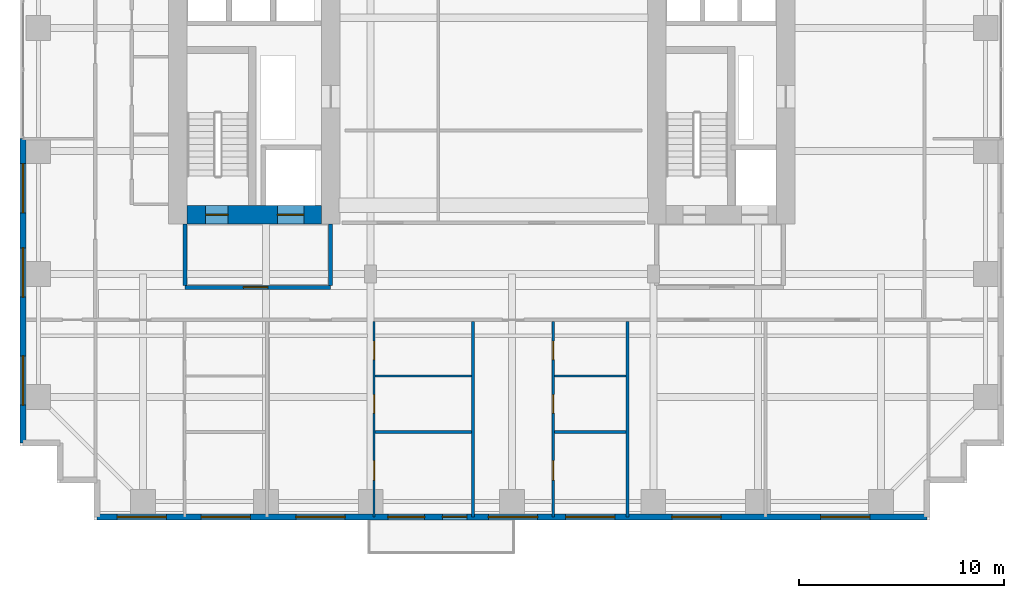
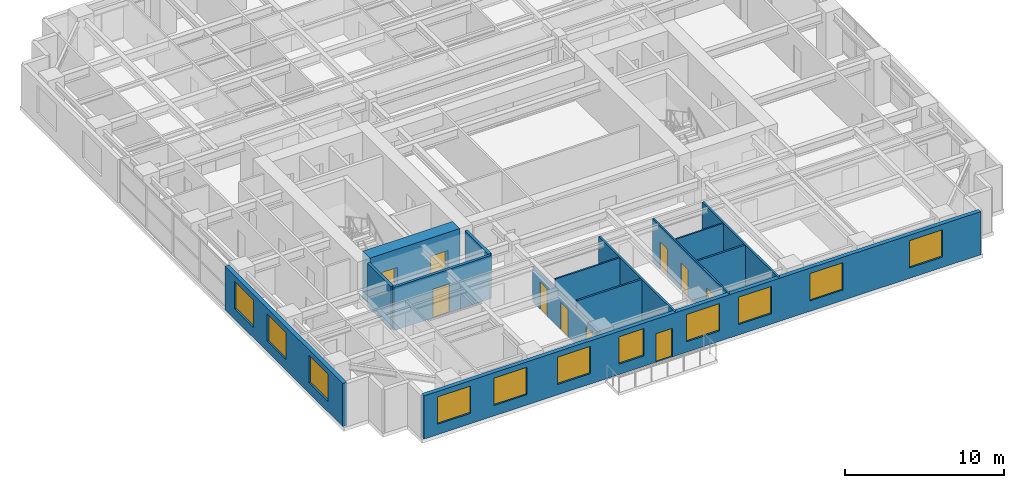
# One storey, part 11 of 19: 14 walls, 11 windows, 10 doors, 21 openings.
"""IFC4 building model written with IfcOpenShell, lengths in metres."""

from ifc_helpers import new_model, si_unit, direction, frame, frame_2d, origin, place, context, subcontext, project, spatial, rectangle, extrude, source, transform, mapped, material, layer, layer_set, type_object, element, fill, save


model = new_model("IFC4")

# Units and contexts
model_context = context("Model", 3, precision=1e-05, world=origin(), true_north=direction((0.0, 1.0)))
body_context = subcontext(model_context, "Body", "Model", "MODEL_VIEW")
ifc_project = project(units=[si_unit("LENGTHUNIT", "METRE"), si_unit("AREAUNIT", "SQUARE_METRE"), si_unit("VOLUMEUNIT", "CUBIC_METRE"), si_unit("PLANEANGLEUNIT", "RADIAN"), si_unit("MASSUNIT", "GRAM", prefix="KILO")], contexts=[model_context])

# Site, building, storey
site_placement = place(None, origin())
site = spatial("IfcSite", under=ifc_project, at=site_placement, CompositionType="ELEMENT")
building_placement = place(site_placement, origin())
building = spatial("IfcBuilding", under=site, at=building_placement, Name="Khoralis Quay Care Tower", CompositionType="ELEMENT")
storey_placement = place(building_placement, frame((0.0, 0.0, 69.300048828125)))
storey = spatial("IfcBuildingStorey", under=building, at=storey_placement, Name="L18", CompositionType="ELEMENT", Elevation=69.300048828125)

# Wall, opening, door
ifc_material_1 = material(Name="Gypsum plasterboard on acoustic metal stud")
ifc_layer_1 = layer(ifc_material_1, 0.199951171875)
ifc_layer_set_1 = layer_set([ifc_layer_1], Name="Gypsum plasterboard on acoustic metal stud")
wall_type_1 = type_object("IfcWallType", Name="WL-COMP-200", PredefinedType="PARTITIONING", material=ifc_layer_set_1)
wall_1_placement = place(storey_placement, frame((8.050048828125, 11.35009765625, 0.0), z_axis=(0.0, 0.0, 1.0), x_axis=(1.0, 0.0, 0.0)))
wall_1 = element("IfcWall", 1, at=wall_1_placement, inside=storey, type_object=wall_type_1, Name="L18 West Firefighting Lobby South Wall", PredefinedType="PARTITIONING", context=body_context, shape_type="SweptSolid", body=[
    extrude(rectangle(XDim=7.099853515625, YDim=0.199951171875, at=frame_2d((3.5498046875, 0.0))), origin(), (0.0, 0.0, 1.0), 3.320068359375),
])
opening_1_placement = place(wall_1_placement, frame((2.846435546875, 0.0, 0.0)))
opening_1 = element("IfcOpeningElement", 2, at=opening_1_placement, cuts=wall_1, Name="Opening FD1", PredefinedType="OPENING", context=body_context, shape_type="SweptSolid", body=[
    extrude(rectangle(XDim=1.199951171875, YDim=2.199951171875, at=frame_2d((0.60009765625, 1.10009765625))), frame((0.0, 0.10986328125, 0.0), z_axis=(0.0, -1.0, 0.0), x_axis=(1.0, 0.0, 0.0)), (0.0, 0.0, 1.0), 0.219970703125),
])
ifc_material_2 = material(Name="Fire-rated painted steel", Category="steel")
door_type_1 = type_object("IfcDoorType", Name="DR-FFL-1200X2200", OperationType="NOTDEFINED", PredefinedType="DOOR", material=ifc_material_2)
shared_shape_1 = source(origin(), body_context, "Body", "SweptSolid", [
    extrude(rectangle(XDim=1.199951171875, YDim=2.199951171875, at=frame_2d((0.60009765625, 1.10009765625))), frame((0.0, 0.02490234375, 0.0), z_axis=(0.0, -1.0, 0.0), x_axis=(1.0, 0.0, 0.0)), (0.0, 0.0, 1.0), 0.050048828125),
])
door_1_placement = place(opening_1_placement, origin())
door_1 = element("IfcDoor", 3, at=door_1_placement, inside=storey, type_object=door_type_1, Name="L18 West Firefighting Lobby Fire Door", OperationType="SINGLE_SWING_RIGHT", OverallHeight=2.199951171875, OverallWidth=1.199951171875, PredefinedType="DOOR", context=body_context, shape_type="MappedRepresentation", body=[
    mapped(shared_shape_1, transform((0.0, 0.0, 0.0), scale=1.0)),
])
fill(opening_1, door_1)

# Walls
for number, where, z_axis, x_axis, name in (
    (4, (8.050048828125, 11.445068359375, 0.0), (0.0, 0.0, 1.0), (0.0, 1.0, 0.0), "L18 West Firefighting Lobby West Wall"),
    (5, (15.14990234375, 11.445068359375, 0.0), (0.0, 0.0, 1.0), (0.0, 1.0, 0.0), "L18 West Firefighting Lobby East Wall"),
):
    element("IfcWall", number, at=place(storey_placement, frame(where, z_axis=z_axis, x_axis=x_axis)), inside=storey, type_object=wall_type_1, Name=name, PredefinedType="PARTITIONING", context=body_context, shape_type="SweptSolid", body=[
        extrude(rectangle(XDim=2.98486328125, YDim=0.199951171875, at=frame_2d((1.492431640625, 0.0))), origin(), (0.0, 0.0, 1.0), 3.320068359375),
    ])

# Wall, openings, doors
ifc_material_3 = material(Name="Concrete C80/95", Category="concrete")
ifc_layer_2 = layer(ifc_material_3, 0.89990234375)
ifc_layer_set_2 = layer_set([ifc_layer_2], Name="Concrete C80/95")
wall_type_2 = type_object("IfcWallType", Name="WL-CORE-900", PredefinedType="SHEAR", material=ifc_layer_set_2)
wall_2_placement = place(storey_placement, frame((8.14990234375, 14.89990234375, 0.0), z_axis=(0.0, 0.0, 1.0), x_axis=(1.0, 0.0, 0.0)))
wall_2 = element("IfcWall", 6, at=wall_2_placement, inside=storey, type_object=wall_type_2, Name="L18 WCORE South Shear Wall", PredefinedType="SHEAR", context=body_context, shape_type="SweptSolid", body=[
    extrude(rectangle(XDim=6.550048828125, YDim=0.89990234375, at=frame_2d((3.27490234375, 0.0))), origin(), (0.0, 0.0, 1.0), 3.599853515625),
])
opening_2_placement = place(wall_2_placement, frame((0.89990234375, 0.0, 0.0)))
opening_2 = element("IfcOpeningElement", 7, at=opening_2_placement, cuts=wall_2, Name="Opening SD1", PredefinedType="OPENING", context=body_context, shape_type="SweptSolid", body=[
    extrude(rectangle(XDim=1.10009765625, YDim=2.199951171875, at=frame_2d((0.550048828125, 1.10009765625))), frame((0.0, 0.4599609375, 0.0), z_axis=(0.0, -1.0, 0.0), x_axis=(1.0, 0.0, 0.0)), (0.0, 0.0, 1.0), 0.919921875),
])
opening_3_placement = place(wall_2_placement, frame((4.39990234375, 0.0, 0.0)))
opening_3 = element("IfcOpeningElement", 8, at=opening_3_placement, cuts=wall_2, Name="Opening LD2", PredefinedType="OPENING", context=body_context, shape_type="SweptSolid", body=[
    extrude(rectangle(XDim=1.300048828125, YDim=2.199951171875, at=frame_2d((0.64990234375, 1.10009765625))), frame((0.0, 0.4599609375, 0.0), z_axis=(0.0, -1.0, 0.0), x_axis=(1.0, 0.0, 0.0)), (0.0, 0.0, 1.0), 0.919921875),
])
door_type_2 = type_object("IfcDoorType", Name="DR-STAIR-1100X2200", OperationType="NOTDEFINED", PredefinedType="DOOR", material=ifc_material_2)
shared_shape_2 = source(origin(), body_context, "Body", "SweptSolid", [
    extrude(rectangle(XDim=1.10009765625, YDim=2.199951171875, at=frame_2d((0.550048828125, 1.10009765625))), frame((0.0, 0.02490234375, 0.0), z_axis=(0.0, -1.0, 0.0), x_axis=(1.0, 0.0, 0.0)), (0.0, 0.0, 1.0), 0.050048828125),
])
door_2_placement = place(opening_2_placement, origin())
door_2 = element("IfcDoor", 9, at=door_2_placement, inside=storey, type_object=door_type_2, Name="L18 Stair ST-T1 Fire Door", OperationType="SINGLE_SWING_RIGHT", OverallHeight=2.199951171875, OverallWidth=1.10009765625, PredefinedType="DOOR", context=body_context, shape_type="MappedRepresentation", body=[
    mapped(shared_shape_2, transform((0.0, 0.0, 0.0), scale=1.0)),
])
fill(opening_2, door_2)
ifc_material_4 = material(Name="Brushed stainless steel", Category="steel")
door_type_3 = type_object("IfcDoorType", Name="DR-LIFT-1300X2200", OperationType="SLIDING_TO_RIGHT", PredefinedType="DOOR", material=ifc_material_4)
shared_shape_3 = source(origin(), body_context, "Body", "SweptSolid", [
    extrude(rectangle(XDim=1.300048828125, YDim=2.199951171875, at=frame_2d((0.64990234375, 1.10009765625))), frame((0.0, 0.02490234375, 0.0), z_axis=(0.0, -1.0, 0.0), x_axis=(1.0, 0.0, 0.0)), (0.0, 0.0, 1.0), 0.050048828125),
])
door_3_placement = place(opening_3_placement, origin())
door_3 = element("IfcDoor", 10, at=door_3_placement, inside=storey, type_object=door_type_3, Name="L18 Firefighting Lift FFL-1 Landing Door", OperationType="SLIDING_TO_RIGHT", OverallHeight=2.199951171875, OverallWidth=1.300048828125, PredefinedType="DOOR", context=body_context, shape_type="MappedRepresentation", body=[
    mapped(shared_shape_3, transform((0.0, 0.0, 0.0), scale=1.0)),
])
fill(opening_3, door_3)

# Wall, openings, windows, door
ifc_material_5 = material(Name="Precast concrete C45/55", Category="concrete")
ifc_layer_3 = layer(ifc_material_5, 0.300048828125)
ifc_layer_set_3 = layer_set([ifc_layer_3], Name="Precast concrete C45/55")
wall_type_3 = type_object("IfcWallType", Name="WL-EXT-REF-300", PredefinedType="SOLIDWALL", material=ifc_layer_set_3)
wall_3_placement = place(storey_placement, frame((3.75, 0.14990234375, 0.0), z_axis=(0.0, 0.0, 1.0), x_axis=(1.0, 0.0, 0.0)))
wall_3 = element("IfcWall", 11, at=wall_3_placement, inside=storey, type_object=wall_type_3, Name="L18 External Facade Wall WL-EXT-L18-P1-E0", PredefinedType="SOLIDWALL", context=body_context, shape_type="SweptSolid", body=[
    extrude(rectangle(XDim=40.5, YDim=0.300048828125, at=frame_2d((20.25, 0.0))), origin(), (0.0, 0.0, 1.0), 3.320068359375),
])
opening_4_placement = place(wall_3_placement, frame((0.990966796875, 0.0, 0.800048828125)))
opening_4 = element("IfcOpeningElement", 12, at=opening_4_placement, cuts=wall_3, Name="Opening W1", PredefinedType="OPENING", context=body_context, shape_type="SweptSolid", body=[
    extrude(rectangle(XDim=2.39990234375, YDim=2.10009765625, at=frame_2d((1.199951171875, 1.050048828125))), frame((0.0, 0.16015625, 0.0), z_axis=(0.0, -1.0, 0.0), x_axis=(1.0, 0.0, 0.0)), (0.0, 0.0, 1.0), 0.320068359375),
])
opening_5_placement = place(wall_3_placement, frame((5.091064453125, 0.0, 0.800048828125)))
opening_5 = element("IfcOpeningElement", 13, at=opening_5_placement, cuts=wall_3, Name="Opening W1", PredefinedType="OPENING", context=body_context, shape_type="SweptSolid", body=[
    extrude(rectangle(XDim=2.39990234375, YDim=2.10009765625, at=frame_2d((1.199951171875, 1.050048828125))), frame((0.0, 0.16015625, 0.0), z_axis=(0.0, -1.0, 0.0), x_axis=(1.0, 0.0, 0.0)), (0.0, 0.0, 1.0), 0.320068359375),
])
opening_6_placement = place(wall_3_placement, frame((9.71044921875, 0.0, 0.800048828125)))
opening_6 = element("IfcOpeningElement", 14, at=opening_6_placement, cuts=wall_3, Name="Opening W1", PredefinedType="OPENING", context=body_context, shape_type="SweptSolid", body=[
    extrude(rectangle(XDim=2.39990234375, YDim=2.10009765625, at=frame_2d((1.199951171875, 1.050048828125))), frame((0.0, 0.16015625, 0.0), z_axis=(0.0, -1.0, 0.0), x_axis=(1.0, 0.0, 0.0)), (0.0, 0.0, 1.0), 0.320068359375),
])
opening_7_placement = place(wall_3_placement, frame((14.1904296875, 0.0, 0.800048828125)))
opening_7 = element("IfcOpeningElement", 15, at=opening_7_placement, cuts=wall_3, Name="Opening W2", PredefinedType="OPENING", context=body_context, shape_type="SweptSolid", body=[
    extrude(rectangle(XDim=1.800048828125, YDim=2.10009765625, at=frame_2d((0.89990234375, 1.050048828125))), frame((0.0, 0.16015625, 0.0), z_axis=(0.0, -1.0, 0.0), x_axis=(1.0, 0.0, 0.0)), (0.0, 0.0, 1.0), 0.320068359375),
])
opening_8_placement = place(wall_3_placement, frame((19.1005859375, 0.0, 0.800048828125)))
opening_8 = element("IfcOpeningElement", 16, at=opening_8_placement, cuts=wall_3, Name="Opening W1", PredefinedType="OPENING", context=body_context, shape_type="SweptSolid", body=[
    extrude(rectangle(XDim=2.39990234375, YDim=2.10009765625, at=frame_2d((1.199951171875, 1.050048828125))), frame((0.0, 0.16015625, 0.0), z_axis=(0.0, -1.0, 0.0), x_axis=(1.0, 0.0, 0.0)), (0.0, 0.0, 1.0), 0.320068359375),
])
opening_9_placement = place(wall_3_placement, frame((22.87060546875, 0.0, 0.800048828125)))
opening_9 = element("IfcOpeningElement", 17, at=opening_9_placement, cuts=wall_3, Name="Opening W1", PredefinedType="OPENING", context=body_context, shape_type="SweptSolid", body=[
    extrude(rectangle(XDim=2.39990234375, YDim=2.10009765625, at=frame_2d((1.199951171875, 1.050048828125))), frame((0.0, 0.16015625, 0.0), z_axis=(0.0, -1.0, 0.0), x_axis=(1.0, 0.0, 0.0)), (0.0, 0.0, 1.0), 0.320068359375),
])
opening_10_placement = place(wall_3_placement, frame((28.050048828125, 0.0, 0.800048828125)))
opening_10 = element("IfcOpeningElement", 18, at=opening_10_placement, cuts=wall_3, Name="Opening W1", PredefinedType="OPENING", context=body_context, shape_type="SweptSolid", body=[
    extrude(rectangle(XDim=2.39990234375, YDim=2.10009765625, at=frame_2d((1.199951171875, 1.050048828125))), frame((0.0, 0.16015625, 0.0), z_axis=(0.0, -1.0, 0.0), x_axis=(1.0, 0.0, 0.0)), (0.0, 0.0, 1.0), 0.320068359375),
])
opening_11_placement = place(wall_3_placement, frame((35.31005859375, 0.0, 0.800048828125)))
opening_11 = element("IfcOpeningElement", 19, at=opening_11_placement, cuts=wall_3, Name="Opening W1", PredefinedType="OPENING", context=body_context, shape_type="SweptSolid", body=[
    extrude(rectangle(XDim=2.39990234375, YDim=2.10009765625, at=frame_2d((1.199951171875, 1.050048828125))), frame((0.0, 0.16015625, 0.0), z_axis=(0.0, -1.0, 0.0), x_axis=(1.0, 0.0, 0.0)), (0.0, 0.0, 1.0), 0.320068359375),
])
opening_12_placement = place(wall_3_placement, frame((16.85009765625, 0.0, 0.0)))
opening_12 = element("IfcOpeningElement", 20, at=opening_12_placement, cuts=wall_3, Name="Opening BD1", PredefinedType="OPENING", context=body_context, shape_type="SweptSolid", body=[
    extrude(rectangle(XDim=1.199951171875, YDim=2.199951171875, at=frame_2d((0.60009765625, 1.10009765625))), frame((0.0, 0.16015625, 0.0), z_axis=(0.0, -1.0, 0.0), x_axis=(1.0, 0.0, 0.0)), (0.0, 0.0, 1.0), 0.320068359375),
])
ifc_material_6 = material(Name="Low-E solar-control double glazing", Category="glass")
window_type_1 = type_object("IfcWindowType", Name="WN-POD-2400X2100", PartitioningType="SINGLE_PANEL", PredefinedType="WINDOW", material=ifc_material_6)
shared_shape_4 = source(origin(), body_context, "Body", "SweptSolid", [
    extrude(rectangle(XDim=2.39990234375, YDim=2.10009765625, at=frame_2d((1.199951171875, 1.050048828125))), frame((0.0, 0.030029296875, 0.0), z_axis=(0.0, -1.0, 0.0), x_axis=(1.0, 0.0, 0.0)), (0.0, 0.0, 1.0), 0.06005859375),
])
window_1_placement = place(opening_4_placement, origin())
window_1 = element("IfcWindow", 21, at=window_1_placement, inside=storey, type_object=window_type_1, Name="WN-L18-P1-E0 Facade Window 01", OverallHeight=2.10009765625, OverallWidth=2.39990234375, PartitioningType="SINGLE_PANEL", PredefinedType="WINDOW", context=body_context, shape_type="MappedRepresentation", body=[
    mapped(shared_shape_4, transform((0.0, 0.0, 0.0), scale=1.0)),
])
fill(opening_4, window_1)
window_2_placement = place(opening_5_placement, origin())
window_2 = element("IfcWindow", 22, at=window_2_placement, inside=storey, type_object=window_type_1, Name="WN-L18-P1-E0 Facade Window 02", OverallHeight=2.10009765625, OverallWidth=2.39990234375, PartitioningType="SINGLE_PANEL", PredefinedType="WINDOW", context=body_context, shape_type="MappedRepresentation", body=[
    mapped(shared_shape_4, transform((0.0, 0.0, 0.0), scale=1.0)),
])
fill(opening_5, window_2)
window_3_placement = place(opening_6_placement, origin())
window_3 = element("IfcWindow", 23, at=window_3_placement, inside=storey, type_object=window_type_1, Name="WN-L18-P1-E0 Facade Window 03", OverallHeight=2.10009765625, OverallWidth=2.39990234375, PartitioningType="SINGLE_PANEL", PredefinedType="WINDOW", context=body_context, shape_type="MappedRepresentation", body=[
    mapped(shared_shape_4, transform((0.0, 0.0, 0.0), scale=1.0)),
])
fill(opening_6, window_3)
window_4_placement = place(opening_8_placement, origin())
window_4 = element("IfcWindow", 24, at=window_4_placement, inside=storey, type_object=window_type_1, Name="WN-L18-P1-E0 Facade Window 05", OverallHeight=2.10009765625, OverallWidth=2.39990234375, PartitioningType="SINGLE_PANEL", PredefinedType="WINDOW", context=body_context, shape_type="MappedRepresentation", body=[
    mapped(shared_shape_4, transform((0.0, 0.0, 0.0), scale=1.0)),
])
fill(opening_8, window_4)
window_5_placement = place(opening_9_placement, origin())
window_5 = element("IfcWindow", 25, at=window_5_placement, inside=storey, type_object=window_type_1, Name="WN-L18-P1-E0 Facade Window 06", OverallHeight=2.10009765625, OverallWidth=2.39990234375, PartitioningType="SINGLE_PANEL", PredefinedType="WINDOW", context=body_context, shape_type="MappedRepresentation", body=[
    mapped(shared_shape_4, transform((0.0, 0.0, 0.0), scale=1.0)),
])
fill(opening_9, window_5)
window_6_placement = place(opening_10_placement, origin())
window_6 = element("IfcWindow", 26, at=window_6_placement, inside=storey, type_object=window_type_1, Name="WN-L18-P1-E0 Facade Window 07", OverallHeight=2.10009765625, OverallWidth=2.39990234375, PartitioningType="SINGLE_PANEL", PredefinedType="WINDOW", context=body_context, shape_type="MappedRepresentation", body=[
    mapped(shared_shape_4, transform((0.0, 0.0, 0.0), scale=1.0)),
])
fill(opening_10, window_6)
window_7_placement = place(opening_11_placement, origin())
window_7 = element("IfcWindow", 27, at=window_7_placement, inside=storey, type_object=window_type_1, Name="WN-L18-P1-E0 Facade Window 08", OverallHeight=2.10009765625, OverallWidth=2.39990234375, PartitioningType="SINGLE_PANEL", PredefinedType="WINDOW", context=body_context, shape_type="MappedRepresentation", body=[
    mapped(shared_shape_4, transform((0.0, 0.0, 0.0), scale=1.0)),
])
fill(opening_11, window_7)
window_type_2 = type_object("IfcWindowType", Name="WN-POD-1800X2100", PartitioningType="SINGLE_PANEL", PredefinedType="WINDOW", material=ifc_material_6)
shared_shape_5 = source(origin(), body_context, "Body", "SweptSolid", [
    extrude(rectangle(XDim=1.800048828125, YDim=2.10009765625, at=frame_2d((0.89990234375, 1.050048828125))), frame((0.0, 0.030029296875, 0.0), z_axis=(0.0, -1.0, 0.0), x_axis=(1.0, 0.0, 0.0)), (0.0, 0.0, 1.0), 0.06005859375),
])
window_8_placement = place(opening_7_placement, origin())
window_8 = element("IfcWindow", 28, at=window_8_placement, inside=storey, type_object=window_type_2, Name="WN-L18-P1-E0 Facade Window 04", OverallHeight=2.10009765625, OverallWidth=1.800048828125, PartitioningType="SINGLE_PANEL", PredefinedType="WINDOW", context=body_context, shape_type="MappedRepresentation", body=[
    mapped(shared_shape_5, transform((0.0, 0.0, 0.0), scale=1.0)),
])
fill(opening_7, window_8)
ifc_material_7 = material(Name="Anodised aluminium and laminated safety glass", Category="aluminium")
door_type_4 = type_object("IfcDoorType", Name="DR-EXT-BALC-1200X2200", OperationType="NOTDEFINED", PredefinedType="DOOR", material=ifc_material_7)
shared_shape_6 = source(origin(), body_context, "Body", "SweptSolid", [
    extrude(rectangle(XDim=1.199951171875, YDim=2.199951171875, at=frame_2d((0.60009765625, 1.10009765625))), frame((0.0, 0.02490234375, 0.0), z_axis=(0.0, -1.0, 0.0), x_axis=(1.0, 0.0, 0.0)), (0.0, 0.0, 1.0), 0.050048828125),
])
door_4_placement = place(opening_12_placement, frame((1.199951171875, 0.0, 0.0), z_axis=(0.0, 0.0, 1.0), x_axis=(-1.0, 0.0, 0.0)))
door_4 = element("IfcDoor", 29, at=door_4_placement, inside=storey, type_object=door_type_4, Name="L18 Senior Loggia Balcony Door", OperationType="SINGLE_SWING_LEFT", OverallHeight=2.199951171875, OverallWidth=1.199951171875, PredefinedType="DOOR", context=body_context, shape_type="MappedRepresentation", body=[
    mapped(shared_shape_6, transform((0.0, 0.0, 0.0), scale=1.0)),
])
fill(opening_12, door_4)

# Wall, openings, windows
wall_4_placement = place(storey_placement, frame((0.14990234375, 18.60009765625, 0.0), z_axis=(0.0, 0.0, 1.0), x_axis=(0.0, -1.0, 0.0)))
wall_4 = element("IfcWall", 30, at=wall_4_placement, inside=storey, type_object=wall_type_3, Name="L18 External Facade Wall WL-EXT-L18-P1-E15B", PredefinedType="SOLIDWALL", context=body_context, shape_type="SweptSolid", body=[
    extrude(rectangle(XDim=14.85009765625, YDim=0.300048828125, at=frame_2d((7.425048828125, 0.0))), origin(), (0.0, 0.0, 1.0), 3.320068359375),
])
opening_13_placement = place(wall_4_placement, frame((1.215087890625, 0.0, 0.800048828125)))
opening_13 = element("IfcOpeningElement", 31, at=opening_13_placement, cuts=wall_4, Name="Opening W1", PredefinedType="OPENING", context=body_context, shape_type="SweptSolid", body=[
    extrude(rectangle(XDim=2.39990234375, YDim=2.10009765625, at=frame_2d((1.199951171875, 1.050048828125))), frame((0.0, 0.16015625, 0.0), z_axis=(0.0, -1.0, 0.0), x_axis=(1.0, 0.0, 0.0)), (0.0, 0.0, 1.0), 0.320068359375),
])
opening_14_placement = place(wall_4_placement, frame((5.324951171875, 0.0, 0.800048828125)))
opening_14 = element("IfcOpeningElement", 32, at=opening_14_placement, cuts=wall_4, Name="Opening W1", PredefinedType="OPENING", context=body_context, shape_type="SweptSolid", body=[
    extrude(rectangle(XDim=2.39990234375, YDim=2.10009765625, at=frame_2d((1.199951171875, 1.050048828125))), frame((0.0, 0.16015625, 0.0), z_axis=(0.0, -1.0, 0.0), x_axis=(1.0, 0.0, 0.0)), (0.0, 0.0, 1.0), 0.320068359375),
])
opening_15_placement = place(wall_4_placement, frame((10.594970703125, 0.0, 0.800048828125)))
opening_15 = element("IfcOpeningElement", 33, at=opening_15_placement, cuts=wall_4, Name="Opening W1", PredefinedType="OPENING", context=body_context, shape_type="SweptSolid", body=[
    extrude(rectangle(XDim=2.39990234375, YDim=2.10009765625, at=frame_2d((1.199951171875, 1.050048828125))), frame((0.0, 0.16015625, 0.0), z_axis=(0.0, -1.0, 0.0), x_axis=(1.0, 0.0, 0.0)), (0.0, 0.0, 1.0), 0.320068359375),
])
window_9_placement = place(opening_13_placement, origin())
window_9 = element("IfcWindow", 34, at=window_9_placement, inside=storey, type_object=window_type_1, Name="WN-L18-P1-E15B Facade Window 01", OverallHeight=2.10009765625, OverallWidth=2.39990234375, PartitioningType="SINGLE_PANEL", PredefinedType="WINDOW", context=body_context, shape_type="MappedRepresentation", body=[
    mapped(shared_shape_4, transform((0.0, 0.0, 0.0), scale=1.0)),
])
fill(opening_13, window_9)
window_10_placement = place(opening_14_placement, origin())
window_10 = element("IfcWindow", 35, at=window_10_placement, inside=storey, type_object=window_type_1, Name="WN-L18-P1-E15B Facade Window 02", OverallHeight=2.10009765625, OverallWidth=2.39990234375, PartitioningType="SINGLE_PANEL", PredefinedType="WINDOW", context=body_context, shape_type="MappedRepresentation", body=[
    mapped(shared_shape_4, transform((0.0, 0.0, 0.0), scale=1.0)),
])
fill(opening_14, window_10)
window_11_placement = place(opening_15_placement, origin())
window_11 = element("IfcWindow", 36, at=window_11_placement, inside=storey, type_object=window_type_1, Name="WN-L18-P1-E15B Facade Window 03", OverallHeight=2.10009765625, OverallWidth=2.39990234375, PartitioningType="SINGLE_PANEL", PredefinedType="WINDOW", context=body_context, shape_type="MappedRepresentation", body=[
    mapped(shared_shape_4, transform((0.0, 0.0, 0.0), scale=1.0)),
])
fill(opening_15, window_11)

# Wall, openings, doors
ifc_layer_4 = layer(ifc_material_1, 0.114990234375)
ifc_layer_set_4 = layer_set([ifc_layer_4], Name="Gypsum plasterboard on acoustic metal stud")
wall_type_4 = type_object("IfcWallType", Name="WL-PART-115", PredefinedType="PARTITIONING", material=ifc_layer_set_4)
wall_5_placement = place(storey_placement, frame((17.27099609375, 0.14501953125, 0.0), z_axis=(0.0, 0.0, 1.0), x_axis=(0.0, 1.0, 0.0)))
wall_5 = element("IfcWall", 37, at=wall_5_placement, inside=storey, type_object=wall_type_4, Name="L18 Unit 1 Internal Wall", PredefinedType="PARTITIONING", context=body_context, shape_type="SweptSolid", body=[
    extrude(rectangle(XDim=9.53759765625, YDim=0.114990234375, at=frame_2d((4.768798828125, 0.0))), origin(), (0.0, 0.0, 1.0), 2.703857421875),
])
opening_16_placement = place(wall_5_placement, frame((1.802001953125, 0.0, 0.0)))
opening_16 = element("IfcOpeningElement", 38, at=opening_16_placement, cuts=wall_5, Name="Opening ID1", PredefinedType="OPENING", context=body_context, shape_type="SweptSolid", body=[
    extrude(rectangle(XDim=0.949951171875, YDim=2.10009765625, at=frame_2d((0.47509765625, 1.050048828125))), frame((0.0, 0.0673828125, 0.0), z_axis=(0.0, -1.0, 0.0), x_axis=(1.0, 0.0, 0.0)), (0.0, 0.0, 1.0), 0.135009765625),
])
opening_17_placement = place(wall_5_placement, frame((5.0654296875, 0.0, 0.0)))
opening_17 = element("IfcOpeningElement", 39, at=opening_17_placement, cuts=wall_5, Name="Opening WD1", PredefinedType="OPENING", context=body_context, shape_type="SweptSolid", body=[
    extrude(rectangle(XDim=0.89990234375, YDim=2.10009765625, at=frame_2d((0.449951171875, 1.050048828125))), frame((0.0, 0.0673828125, 0.0), z_axis=(0.0, -1.0, 0.0), x_axis=(1.0, 0.0, 0.0)), (0.0, 0.0, 1.0), 0.135009765625),
])
opening_18_placement = place(wall_5_placement, frame((7.68359375, 0.0, 0.0)))
opening_18 = element("IfcOpeningElement", 40, at=opening_18_placement, cuts=wall_5, Name="Opening WD1", PredefinedType="OPENING", context=body_context, shape_type="SweptSolid", body=[
    extrude(rectangle(XDim=0.89990234375, YDim=2.10009765625, at=frame_2d((0.449951171875, 1.050048828125))), frame((0.0, 0.0673828125, 0.0), z_axis=(0.0, -1.0, 0.0), x_axis=(1.0, 0.0, 0.0)), (0.0, 0.0, 1.0), 0.135009765625),
])
ifc_material_8 = material(Name="Acoustic hardwood timber", Category="wood")
door_type_5 = type_object("IfcDoorType", Name="DR-BATH-900X2100", OperationType="NOTDEFINED", PredefinedType="DOOR", material=ifc_material_8)
shared_shape_7 = source(origin(), body_context, "Body", "SweptSolid", [
    extrude(rectangle(XDim=0.89990234375, YDim=2.10009765625, at=frame_2d((0.449951171875, 1.050048828125))), frame((0.0, 0.02490234375, 0.0), z_axis=(0.0, -1.0, 0.0), x_axis=(1.0, 0.0, 0.0)), (0.0, 0.0, 1.0), 0.050048828125),
])
door_5_placement = place(opening_17_placement, frame((0.89990234375, 0.0, 0.0), z_axis=(0.0, 0.0, 1.0), x_axis=(-1.0, 0.0, 0.0)))
door_5 = element("IfcDoor", 41, at=door_5_placement, inside=storey, type_object=door_type_5, Name="L18 Apartment SB1 KIT Door", OperationType="SINGLE_SWING_LEFT", OverallHeight=2.10009765625, OverallWidth=0.89990234375, PredefinedType="DOOR", context=body_context, shape_type="MappedRepresentation", body=[
    mapped(shared_shape_7, transform((0.0, 0.0, 0.0), scale=1.0)),
])
fill(opening_17, door_5)
door_6_placement = place(opening_18_placement, frame((0.89990234375, 0.0, 0.0), z_axis=(0.0, 0.0, 1.0), x_axis=(-1.0, 0.0, 0.0)))
door_6 = element("IfcDoor", 42, at=door_6_placement, inside=storey, type_object=door_type_5, Name="L18 Apartment SB1 BTH Door", OperationType="SINGLE_SWING_RIGHT", OverallHeight=2.10009765625, OverallWidth=0.89990234375, PredefinedType="DOOR", context=body_context, shape_type="MappedRepresentation", body=[
    mapped(shared_shape_7, transform((0.0, 0.0, 0.0), scale=1.0)),
])
fill(opening_18, door_6)
door_type_6 = type_object("IfcDoorType", Name="DR-ROOM-950X2100", OperationType="NOTDEFINED", PredefinedType="DOOR", material=ifc_material_8)
shared_shape_8 = source(origin(), body_context, "Body", "SweptSolid", [
    extrude(rectangle(XDim=0.949951171875, YDim=2.10009765625, at=frame_2d((0.47509765625, 1.050048828125))), frame((0.0, 0.02490234375, 0.0), z_axis=(0.0, -1.0, 0.0), x_axis=(1.0, 0.0, 0.0)), (0.0, 0.0, 1.0), 0.050048828125),
])
door_7_placement = place(opening_16_placement, frame((0.949951171875, 0.0, 0.0), z_axis=(0.0, 0.0, 1.0), x_axis=(-1.0, 0.0, 0.0)))
door_7 = element("IfcDoor", 43, at=door_7_placement, inside=storey, type_object=door_type_6, Name="L18 Apartment SB1 BED Door", OperationType="SINGLE_SWING_RIGHT", OverallHeight=2.10009765625, OverallWidth=0.949951171875, PredefinedType="DOOR", context=body_context, shape_type="MappedRepresentation", body=[
    mapped(shared_shape_8, transform((0.0, 0.0, 0.0), scale=1.0)),
])
fill(opening_16, door_7)

# Wall
wall_6_placement = place(storey_placement, frame((17.323486328125, 7.027099609375, 0.0), z_axis=(0.0, 0.0, 1.0), x_axis=(1.0, 0.0, 0.0)))
element("IfcWall", 44, at=wall_6_placement, inside=storey, type_object=wall_type_4, Name="L18 Unit 1 Kitchen Wall", PredefinedType="PARTITIONING", context=body_context, shape_type="SweptSolid", body=[
    extrude(rectangle(XDim=4.701416015625, YDim=0.114990234375, at=frame_2d((2.3505859375, 0.0))), origin(), (0.0, 0.0, 1.0), 3.320068359375),
])

# Wall, openings, doors
wall_7_placement = place(storey_placement, frame((26.010986328125, 0.14501953125, 0.0), z_axis=(0.0, 0.0, 1.0), x_axis=(0.0, 1.0, 0.0)))
wall_7 = element("IfcWall", 45, at=wall_7_placement, inside=storey, type_object=wall_type_4, Name="L18 Unit 2 Internal Wall", PredefinedType="PARTITIONING", context=body_context, shape_type="SweptSolid", body=[
    extrude(rectangle(XDim=9.53759765625, YDim=0.114990234375, at=frame_2d((4.768798828125, 0.0))), origin(), (0.0, 0.0, 1.0), 3.320068359375),
])
opening_19_placement = place(wall_7_placement, frame((1.802001953125, 0.0, 0.0)))
opening_19 = element("IfcOpeningElement", 46, at=opening_19_placement, cuts=wall_7, Name="Opening ID1", PredefinedType="OPENING", context=body_context, shape_type="SweptSolid", body=[
    extrude(rectangle(XDim=0.949951171875, YDim=2.10009765625, at=frame_2d((0.47509765625, 1.050048828125))), frame((0.0, 0.0673828125, 0.0), z_axis=(0.0, -1.0, 0.0), x_axis=(1.0, 0.0, 0.0)), (0.0, 0.0, 1.0), 0.135009765625),
])
opening_20_placement = place(wall_7_placement, frame((5.0654296875, 0.0, 0.0)))
opening_20 = element("IfcOpeningElement", 47, at=opening_20_placement, cuts=wall_7, Name="Opening WD1", PredefinedType="OPENING", context=body_context, shape_type="SweptSolid", body=[
    extrude(rectangle(XDim=0.89990234375, YDim=2.10009765625, at=frame_2d((0.449951171875, 1.050048828125))), frame((0.0, 0.0673828125, 0.0), z_axis=(0.0, -1.0, 0.0), x_axis=(1.0, 0.0, 0.0)), (0.0, 0.0, 1.0), 0.135009765625),
])
opening_21_placement = place(wall_7_placement, frame((7.68359375, 0.0, 0.0)))
opening_21 = element("IfcOpeningElement", 48, at=opening_21_placement, cuts=wall_7, Name="Opening WD1", PredefinedType="OPENING", context=body_context, shape_type="SweptSolid", body=[
    extrude(rectangle(XDim=0.89990234375, YDim=2.10009765625, at=frame_2d((0.449951171875, 1.050048828125))), frame((0.0, 0.0673828125, 0.0), z_axis=(0.0, -1.0, 0.0), x_axis=(1.0, 0.0, 0.0)), (0.0, 0.0, 1.0), 0.135009765625),
])
door_8_placement = place(opening_20_placement, frame((0.89990234375, 0.0, 0.0), z_axis=(0.0, 0.0, 1.0), x_axis=(-1.0, 0.0, 0.0)))
door_8 = element("IfcDoor", 49, at=door_8_placement, inside=storey, type_object=door_type_5, Name="L18 Apartment SB2 KIT Door", OperationType="SINGLE_SWING_RIGHT", OverallHeight=2.10009765625, OverallWidth=0.89990234375, PredefinedType="DOOR", context=body_context, shape_type="MappedRepresentation", body=[
    mapped(shared_shape_7, transform((0.0, 0.0, 0.0), scale=1.0)),
])
fill(opening_20, door_8)
door_9_placement = place(opening_21_placement, frame((0.89990234375, 0.0, 0.0), z_axis=(0.0, 0.0, 1.0), x_axis=(-1.0, 0.0, 0.0)))
door_9 = element("IfcDoor", 50, at=door_9_placement, inside=storey, type_object=door_type_5, Name="L18 Apartment SB2 BTH Door", OperationType="SINGLE_SWING_LEFT", OverallHeight=2.10009765625, OverallWidth=0.89990234375, PredefinedType="DOOR", context=body_context, shape_type="MappedRepresentation", body=[
    mapped(shared_shape_7, transform((0.0, 0.0, 0.0), scale=1.0)),
])
fill(opening_21, door_9)
door_10_placement = place(opening_19_placement, frame((0.949951171875, 0.0, 0.0), z_axis=(0.0, 0.0, 1.0), x_axis=(-1.0, 0.0, 0.0)))
door_10 = element("IfcDoor", 51, at=door_10_placement, inside=storey, type_object=door_type_6, Name="L18 Apartment SB2 BED Door", OperationType="SINGLE_SWING_LEFT", OverallHeight=2.10009765625, OverallWidth=0.949951171875, PredefinedType="DOOR", context=body_context, shape_type="MappedRepresentation", body=[
    mapped(shared_shape_8, transform((0.0, 0.0, 0.0), scale=1.0)),
])
fill(opening_19, door_10)

# Walls
wall_8_placement = place(storey_placement, frame((26.0634765625, 7.027099609375, 0.0), z_axis=(0.0, 0.0, 1.0), x_axis=(1.0, 0.0, 0.0)))
element("IfcWall", 52, at=wall_8_placement, inside=storey, type_object=wall_type_4, Name="L18 Unit 2 Kitchen Wall", PredefinedType="PARTITIONING", context=body_context, shape_type="SweptSolid", body=[
    extrude(rectangle(XDim=3.50146484375, YDim=0.114990234375, at=frame_2d((1.750732421875, 0.0))), origin(), (0.0, 0.0, 1.0), 3.320068359375),
])
ifc_material_9 = material(Name="Moisture-resistant gypsum and ceramic tile")
ifc_layer_5 = layer(ifc_material_9, 0.280029296875)
ifc_layer_set_5 = layer_set([ifc_layer_5], Name="Moisture-resistant gypsum and ceramic tile")
wall_type_5 = type_object("IfcWallType", Name="WL-PLUMB-280", PredefinedType="PLUMBINGWALL", material=ifc_layer_set_5)
wall_9_placement = place(storey_placement, frame((17.323486328125, 4.2939453125, 0.0), z_axis=(0.0, 0.0, 1.0), x_axis=(1.0, 0.0, 0.0)))
element("IfcWall", 53, at=wall_9_placement, inside=storey, type_object=wall_type_5, Name="L18 Unit 1 Wet Wall", PredefinedType="PLUMBINGWALL", context=body_context, shape_type="SweptSolid", body=[
    extrude(rectangle(XDim=4.701416015625, YDim=0.139892578125, at=frame_2d((2.3505859375, 0.0))), origin(), (0.0, 0.0, 1.0), 3.320068359375),
])
wall_10_placement = place(storey_placement, frame((26.0634765625, 4.2939453125, 0.0), z_axis=(0.0, 0.0, 1.0), x_axis=(1.0, 0.0, 0.0)))
element("IfcWall", 54, at=wall_10_placement, inside=storey, type_object=wall_type_5, Name="L18 Unit 2 Wet Wall", PredefinedType="PLUMBINGWALL", context=body_context, shape_type="SweptSolid", body=[
    extrude(rectangle(XDim=3.50146484375, YDim=0.139892578125, at=frame_2d((1.750732421875, 0.0))), origin(), (0.0, 0.0, 1.0), 3.320068359375),
])
ifc_layer_6 = layer(ifc_material_1, 0.139892578125)
ifc_layer_set_6 = layer_set([ifc_layer_6], Name="Gypsum plasterboard on acoustic metal stud")
wall_type_6 = type_object("IfcWallType", Name="WL-UNIT-140", PredefinedType="PARTITIONING", material=ifc_layer_set_6)
for number, where, z_axis, x_axis, name in (
    (55, (22.090087890625, 0.14501953125, 0.0), (0.0, 0.0, 1.0), (0.0, 1.0, 0.0), "L18 SB Demising Wall 2"),
    (56, (29.6298828125, 0.14501953125, 0.0), (0.0, 0.0, 1.0), (0.0, 1.0, 0.0), "L18 SB Demising Wall 3"),
):
    element("IfcWall", number, at=place(storey_placement, frame(where, z_axis=z_axis, x_axis=x_axis)), inside=storey, type_object=wall_type_6, Name=name, PredefinedType="PARTITIONING", context=body_context, shape_type="SweptSolid", body=[
        extrude(rectangle(XDim=9.53759765625, YDim=0.139892578125, at=frame_2d((4.768798828125, 0.0))), origin(), (0.0, 0.0, 1.0), 3.320068359375),
    ])

save(model, "model.ifc")
